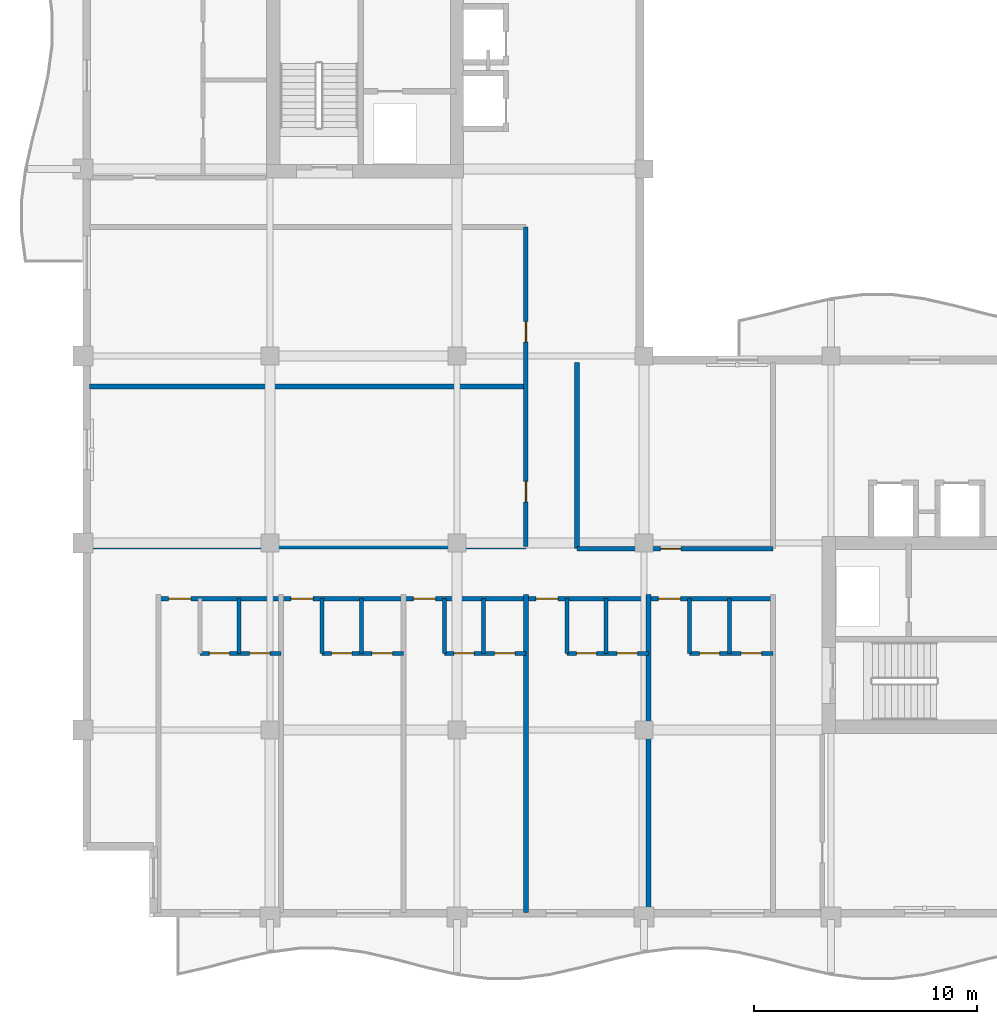
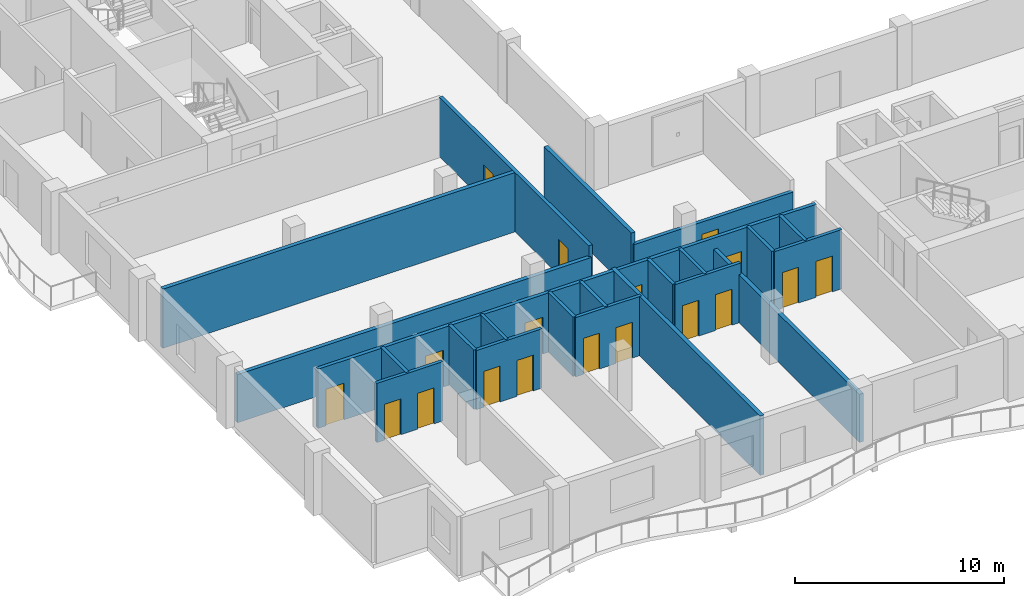
# One storey, part 3 of 12: 22 walls, 18 doors, 18 openings.
"""IFC4 building model written with IfcOpenShell, lengths in metres."""

from ifc_helpers import new_model, si_unit, direction, frame, frame_2d, origin, place, context, subcontext, project, spatial, rectangle, extrude, material, layer, layer_set, type_object, element, fill, save


model = new_model("IFC4")

# Units and contexts
model_context = context("Model", 3, precision=1e-05, world=origin(), true_north=direction((0.0, 1.0)))
body_context = subcontext(model_context, "Body", "Model", "MODEL_VIEW")
ifc_project = project(units=[si_unit("LENGTHUNIT", "METRE"), si_unit("AREAUNIT", "SQUARE_METRE"), si_unit("VOLUMEUNIT", "CUBIC_METRE"), si_unit("PLANEANGLEUNIT", "RADIAN"), si_unit("MASSUNIT", "GRAM", prefix="KILO")], contexts=[model_context])

# Site, building, storey
site_placement = place(None, origin())
site = spatial("IfcSite", under=ifc_project, at=site_placement, CompositionType="ELEMENT")
building_placement = place(site_placement, origin())
building = spatial("IfcBuilding", under=site, at=building_placement, Name="Koriwani Terraces Tower", CompositionType="ELEMENT")
storey_placement = place(building_placement, frame((0.0, 0.0, 278.60009765625)))
storey = spatial("IfcBuildingStorey", under=building, at=storey_placement, Name="L69", CompositionType="ELEMENT", Elevation=278.60009765625)

# Wall, opening, door
ifc_material_1 = material(Name="Autoclaved Cellular Concrete Blockwork", Category="masonry")
ifc_layer_1 = layer(ifc_material_1, 0.199951171875, Name="Autoclaved Cellular Concrete Blockwork")
ifc_layer_set_1 = layer_set([ifc_layer_1], Name="Autoclaved Cellular Concrete Blockwork")
wall_type_1 = type_object("IfcWallType", Name="WALL_CORRIDOR_200", PredefinedType="PARTITIONING", material=ifc_layer_set_1)
wall_1_placement = place(storey_placement, frame((30.60009765625, 24.949951171875, 0.0), z_axis=(0.0, 0.0, 1.0), x_axis=(1.0, 0.0, 0.0)))
wall_1 = element("IfcWall", 1, at=wall_1_placement, inside=storey, type_object=wall_type_1, Name="L69 Interior Wall WIC4S-L69", PredefinedType="PARTITIONING", context=body_context, shape_type="SweptSolid", body=[
    extrude(rectangle(XDim=8.7998046875, YDim=0.199951171875, at=frame_2d((4.39990234375, 0.0))), origin(), (0.0, 0.0, 1.0), 2.81982421875),
])
opening_1_placement = place(wall_1_placement, frame((3.75, 0.0, 0.0)))
opening_1 = element("IfcOpeningElement", 2, at=opening_1_placement, cuts=wall_1, Name="Opening D-06", PredefinedType="OPENING", context=body_context, shape_type="SweptSolid", body=[
    extrude(rectangle(XDim=0.919921875, YDim=2.10009765625, at=frame_2d((0.4599609375, 1.050048828125))), frame((0.0, 0.10986328125, 0.0), z_axis=(0.0, -1.0, 0.0), x_axis=(1.0, 0.0, 0.0)), (0.0, 0.0, 1.0), 0.219970703125),
])
ifc_material_2 = material(Name="Architectural Oak Fire Door", Category="wood")
door_type_1 = type_object("IfcDoorType", Name="DOOR_ROOM_INT_920X2100", OperationType="NOTDEFINED", PredefinedType="DOOR", material=ifc_material_2)
door_1_placement = place(opening_1_placement, origin())
door_1 = element("IfcDoor", 3, at=door_1_placement, inside=storey, type_object=door_type_1, Name="L69 High-Rise Court Lounge Door", OperationType="SINGLE_SWING_LEFT", OverallHeight=2.10009765625, OverallWidth=0.919921875, PredefinedType="DOOR", context=body_context, shape_type="SweptSolid", body=[
    extrude(rectangle(XDim=0.919921875, YDim=2.10009765625, at=frame_2d((0.4599609375, 1.050048828125))), frame((0.0, 0.02490234375, 0.0), z_axis=(0.0, -1.0, 0.0), x_axis=(1.0, 0.0, 0.0)), (0.0, 0.0, 1.0), 0.050048828125),
])
fill(opening_1, door_1)

# Wall, openings, doors
wall_2_placement = place(storey_placement, frame((11.800048828125, 22.699951171875, 0.0), z_axis=(0.0, 0.0, 1.0), x_axis=(1.0, 0.0, 0.0)))
wall_2 = element("IfcWall", 4, at=wall_2_placement, inside=storey, type_object=wall_type_1, Name="L69 Interior Wall WRCOR-L69-SW-0", PredefinedType="PARTITIONING", context=body_context, shape_type="SweptSolid", body=[
    extrude(rectangle(XDim=27.599853515625, YDim=0.199951171875, at=frame_2d((13.7998046875, 0.0))), origin(), (0.0, 0.0, 1.0), 3.469970703125),
])
opening_2_placement = place(wall_2_placement, frame((0.445068359375, 0.0, 0.0)))
opening_2 = element("IfcOpeningElement", 5, at=opening_2_placement, cuts=wall_2, Name="Opening D-05", PredefinedType="OPENING", context=body_context, shape_type="SweptSolid", body=[
    extrude(rectangle(XDim=1.0, YDim=2.14990234375, at=frame_2d((0.5, 1.074951171875))), frame((0.0, 0.10986328125, 0.0), z_axis=(0.0, -1.0, 0.0), x_axis=(1.0, 0.0, 0.0)), (0.0, 0.0, 1.0), 0.219970703125),
])
opening_3_placement = place(wall_2_placement, frame((5.945068359375, 0.0, 0.0)))
opening_3 = element("IfcOpeningElement", 6, at=opening_3_placement, cuts=wall_2, Name="Opening D-05", PredefinedType="OPENING", context=body_context, shape_type="SweptSolid", body=[
    extrude(rectangle(XDim=1.0, YDim=2.14990234375, at=frame_2d((0.5, 1.074951171875))), frame((0.0, 0.10986328125, 0.0), z_axis=(0.0, -1.0, 0.0), x_axis=(1.0, 0.0, 0.0)), (0.0, 0.0, 1.0), 0.219970703125),
])
opening_4_placement = place(wall_2_placement, frame((11.445068359375, 0.0, 0.0)))
opening_4 = element("IfcOpeningElement", 7, at=opening_4_placement, cuts=wall_2, Name="Opening D-05", PredefinedType="OPENING", context=body_context, shape_type="SweptSolid", body=[
    extrude(rectangle(XDim=1.0, YDim=2.14990234375, at=frame_2d((0.5, 1.074951171875))), frame((0.0, 0.10986328125, 0.0), z_axis=(0.0, -1.0, 0.0), x_axis=(1.0, 0.0, 0.0)), (0.0, 0.0, 1.0), 0.219970703125),
])
opening_5_placement = place(wall_2_placement, frame((16.945068359375, 0.0, 0.0)))
opening_5 = element("IfcOpeningElement", 8, at=opening_5_placement, cuts=wall_2, Name="Opening D-05", PredefinedType="OPENING", context=body_context, shape_type="SweptSolid", body=[
    extrude(rectangle(XDim=1.0, YDim=2.14990234375, at=frame_2d((0.5, 1.074951171875))), frame((0.0, 0.10986328125, 0.0), z_axis=(0.0, -1.0, 0.0), x_axis=(1.0, 0.0, 0.0)), (0.0, 0.0, 1.0), 0.219970703125),
])
opening_6_placement = place(wall_2_placement, frame((22.445068359375, 0.0, 0.0)))
opening_6 = element("IfcOpeningElement", 9, at=opening_6_placement, cuts=wall_2, Name="Opening D-05", PredefinedType="OPENING", context=body_context, shape_type="SweptSolid", body=[
    extrude(rectangle(XDim=1.0, YDim=2.14990234375, at=frame_2d((0.5, 1.074951171875))), frame((0.0, 0.10986328125, 0.0), z_axis=(0.0, -1.0, 0.0), x_axis=(1.0, 0.0, 0.0)), (0.0, 0.0, 1.0), 0.219970703125),
])
door_type_2 = type_object("IfcDoorType", Name="DOOR_SUITE_ENTRY_1000X2150", OperationType="NOTDEFINED", PredefinedType="DOOR", material=ifc_material_2)
door_2_placement = place(opening_2_placement, origin())
door_2 = element("IfcDoor", 10, at=door_2_placement, inside=storey, type_object=door_type_2, Name="Apartment 69SW1 Entrance Door", OperationType="SINGLE_SWING_RIGHT", OverallHeight=2.14990234375, OverallWidth=1.0, PredefinedType="DOOR", context=body_context, shape_type="SweptSolid", body=[
    extrude(rectangle(XDim=1.0, YDim=2.14990234375, at=frame_2d((0.5, 1.074951171875))), frame((0.0, 0.02490234375, 0.0), z_axis=(0.0, -1.0, 0.0), x_axis=(1.0, 0.0, 0.0)), (0.0, 0.0, 1.0), 0.050048828125),
])
fill(opening_2, door_2)
door_3_placement = place(opening_3_placement, origin())
door_3 = element("IfcDoor", 11, at=door_3_placement, inside=storey, type_object=door_type_2, Name="Apartment 69SW2 Entrance Door", OperationType="SINGLE_SWING_LEFT", OverallHeight=2.14990234375, OverallWidth=1.0, PredefinedType="DOOR", context=body_context, shape_type="SweptSolid", body=[
    extrude(rectangle(XDim=1.0, YDim=2.14990234375, at=frame_2d((0.5, 1.074951171875))), frame((0.0, 0.02490234375, 0.0), z_axis=(0.0, -1.0, 0.0), x_axis=(1.0, 0.0, 0.0)), (0.0, 0.0, 1.0), 0.050048828125),
])
fill(opening_3, door_3)
door_4_placement = place(opening_4_placement, origin())
door_4 = element("IfcDoor", 12, at=door_4_placement, inside=storey, type_object=door_type_2, Name="Apartment 69SW3 Entrance Door", OperationType="SINGLE_SWING_RIGHT", OverallHeight=2.14990234375, OverallWidth=1.0, PredefinedType="DOOR", context=body_context, shape_type="SweptSolid", body=[
    extrude(rectangle(XDim=1.0, YDim=2.14990234375, at=frame_2d((0.5, 1.074951171875))), frame((0.0, 0.02490234375, 0.0), z_axis=(0.0, -1.0, 0.0), x_axis=(1.0, 0.0, 0.0)), (0.0, 0.0, 1.0), 0.050048828125),
])
fill(opening_4, door_4)
door_5_placement = place(opening_5_placement, origin())
door_5 = element("IfcDoor", 13, at=door_5_placement, inside=storey, type_object=door_type_2, Name="Apartment 69SW4 Entrance Door", OperationType="SINGLE_SWING_LEFT", OverallHeight=2.14990234375, OverallWidth=1.0, PredefinedType="DOOR", context=body_context, shape_type="SweptSolid", body=[
    extrude(rectangle(XDim=1.0, YDim=2.14990234375, at=frame_2d((0.5, 1.074951171875))), frame((0.0, 0.02490234375, 0.0), z_axis=(0.0, -1.0, 0.0), x_axis=(1.0, 0.0, 0.0)), (0.0, 0.0, 1.0), 0.050048828125),
])
fill(opening_5, door_5)
door_6_placement = place(opening_6_placement, origin())
door_6 = element("IfcDoor", 14, at=door_6_placement, inside=storey, type_object=door_type_2, Name="Apartment 69SW5 Entrance Door", OperationType="SINGLE_SWING_RIGHT", OverallHeight=2.14990234375, OverallWidth=1.0, PredefinedType="DOOR", context=body_context, shape_type="SweptSolid", body=[
    extrude(rectangle(XDim=1.0, YDim=2.14990234375, at=frame_2d((0.5, 1.074951171875))), frame((0.0, 0.02490234375, 0.0), z_axis=(0.0, -1.0, 0.0), x_axis=(1.0, 0.0, 0.0)), (0.0, 0.0, 1.0), 0.050048828125),
])
fill(opening_6, door_6)

wall_3_placement = place(storey_placement, frame((28.300048828125, 25.050048828125, 0.0), z_axis=(0.0, 0.0, 1.0), x_axis=(0.0, 1.0, 0.0)))
wall_3 = element("IfcWall", 15, at=wall_3_placement, inside=storey, type_object=wall_type_1, Name="L69 Interior Wall WZ4NECL-L69", PredefinedType="PARTITIONING", context=body_context, shape_type="SweptSolid", body=[
    extrude(rectangle(XDim=14.349853515625, YDim=0.199951171875, at=frame_2d((7.1748046875, 0.0))), origin(), (0.0, 0.0, 1.0), 3.469970703125),
])
opening_7_placement = place(wall_3_placement, frame((2.0, 0.0, 0.0)))
opening_7 = element("IfcOpeningElement", 16, at=opening_7_placement, cuts=wall_3, Name="Opening D-06", PredefinedType="OPENING", context=body_context, shape_type="SweptSolid", body=[
    extrude(rectangle(XDim=0.919921875, YDim=2.10009765625, at=frame_2d((0.4599609375, 1.050048828125))), frame((0.0, 0.10986328125, 0.0), z_axis=(0.0, -1.0, 0.0), x_axis=(1.0, 0.0, 0.0)), (0.0, 0.0, 1.0), 0.219970703125),
])
opening_8_placement = place(wall_3_placement, frame((9.175048828125, 0.0, 0.0)))
opening_8 = element("IfcOpeningElement", 17, at=opening_8_placement, cuts=wall_3, Name="Opening D-06", PredefinedType="OPENING", context=body_context, shape_type="SweptSolid", body=[
    extrude(rectangle(XDim=0.919921875, YDim=2.10009765625, at=frame_2d((0.4599609375, 1.050048828125))), frame((0.0, 0.10986328125, 0.0), z_axis=(0.0, -1.0, 0.0), x_axis=(1.0, 0.0, 0.0)), (0.0, 0.0, 1.0), 0.219970703125),
])
door_7_placement = place(opening_7_placement, origin())
door_7 = element("IfcDoor", 18, at=door_7_placement, inside=storey, type_object=door_type_1, Name="L69 Observatory Library Door", OperationType="SINGLE_SWING_LEFT", OverallHeight=2.10009765625, OverallWidth=0.919921875, PredefinedType="DOOR", context=body_context, shape_type="SweptSolid", body=[
    extrude(rectangle(XDim=0.919921875, YDim=2.10009765625, at=frame_2d((0.4599609375, 1.050048828125))), frame((0.0, 0.02490234375, 0.0), z_axis=(0.0, -1.0, 0.0), x_axis=(1.0, 0.0, 0.0)), (0.0, 0.0, 1.0), 0.050048828125),
])
fill(opening_7, door_7)
door_8_placement = place(opening_8_placement, origin())
door_8 = element("IfcDoor", 19, at=door_8_placement, inside=storey, type_object=door_type_1, Name="L69 Altitude Tea Salon Door", OperationType="SINGLE_SWING_RIGHT", OverallHeight=2.10009765625, OverallWidth=0.919921875, PredefinedType="DOOR", context=body_context, shape_type="SweptSolid", body=[
    extrude(rectangle(XDim=0.919921875, YDim=2.10009765625, at=frame_2d((0.4599609375, 1.050048828125))), frame((0.0, 0.02490234375, 0.0), z_axis=(0.0, -1.0, 0.0), x_axis=(1.0, 0.0, 0.0)), (0.0, 0.0, 1.0), 0.050048828125),
])
fill(opening_8, door_8)

# Walls
ifc_layer_2 = layer(ifc_material_1, 0.219970703125, Name="Autoclaved Cellular Concrete Blockwork")
ifc_layer_set_2 = layer_set([ifc_layer_2], Name="Autoclaved Cellular Concrete Blockwork")
wall_type_2 = type_object("IfcWallType", Name="WALL_DEMISING_220", PredefinedType="PARTITIONING", material=ifc_layer_set_2)
wall_4_placement = place(storey_placement, frame((30.60009765625, 24.949951171875, 0.0), z_axis=(0.0, 0.0, 1.0), x_axis=(0.0, 1.0, 0.0)))
element("IfcWall", 20, at=wall_4_placement, inside=storey, type_object=wall_type_2, Name="L69 Interior Wall WIC4SW-L69", PredefinedType="PARTITIONING", context=body_context, shape_type="SweptSolid", body=[
    extrude(rectangle(XDim=8.35009765625, YDim=0.219970703125, at=frame_2d((4.175048828125, 0.0))), origin(), (0.0, 0.0, 1.0), 3.469970703125),
])
wall_5_placement = place(storey_placement, frame((28.300048828125, 8.60009765625, 0.0), z_axis=(0.0, 0.0, 1.0), x_axis=(0.0, 1.0, 0.0)))
element("IfcWall", 21, at=wall_5_placement, inside=storey, type_object=wall_type_2, Name="L69 Interior Wall WRDEM-L69-SW-3", PredefinedType="PARTITIONING", context=body_context, shape_type="SweptSolid", body=[
    extrude(rectangle(XDim=14.27978515625, YDim=0.219970703125, at=frame_2d((7.139892578125, 0.0))), origin(), (0.0, 0.0, 1.0), 3.469970703125),
])
wall_6_placement = place(storey_placement, frame((33.800048828125, 8.60009765625, 0.0), z_axis=(0.0, 0.0, 1.0), x_axis=(0.0, 1.0, 0.0)))
element("IfcWall", 22, at=wall_6_placement, inside=storey, type_object=wall_type_2, Name="L69 Interior Wall WRDEM-L69-SW-4", PredefinedType="PARTITIONING", context=body_context, shape_type="SweptSolid", body=[
    extrude(rectangle(XDim=14.27978515625, YDim=0.219970703125, at=frame_2d((7.139892578125, 0.0))), origin(), (0.0, 0.0, 1.0), 2.81982421875),
])
wall_7_placement = place(storey_placement, frame((8.699951171875, 25.050048828125, 0.0), z_axis=(0.0, 0.0, 1.0), x_axis=(1.0, 0.0, 0.0)))
element("IfcWall", 23, at=wall_7_placement, inside=storey, type_object=wall_type_2, Name="L69 Interior Wall WZ4NES-L69", PredefinedType="PARTITIONING", context=body_context, shape_type="SweptSolid", body=[
    extrude(rectangle(XDim=19.60009765625, YDim=0.219970703125, at=frame_2d((9.800048828125, 0.0))), origin(), (0.0, 0.0, 1.0), 2.81982421875),
])
wall_8_placement = place(storey_placement, frame((8.699951171875, 32.22509765625, 0.0), z_axis=(0.0, 0.0, 1.0), x_axis=(1.0, 0.0, 0.0)))
element("IfcWall", 24, at=wall_8_placement, inside=storey, type_object=wall_type_2, Name="L69 Interior Wall WZ4NEM-L69", PredefinedType="PARTITIONING", context=body_context, shape_type="SweptSolid", body=[
    extrude(rectangle(XDim=19.60009765625, YDim=0.219970703125, at=frame_2d((9.800048828125, 0.0))), origin(), (0.0, 0.0, 1.0), 3.469970703125),
])

# Wall, openings, doors
ifc_material_3 = material(Name="Fire-Rated Acoustic Gypsum Partition", Category="masonry")
ifc_layer_3 = layer(ifc_material_3, 0.179931640625, Name="Fire-Rated Acoustic Gypsum Partition")
ifc_layer_set_3 = layer_set([ifc_layer_3], Name="Fire-Rated Acoustic Gypsum Partition")
wall_type_3 = type_object("IfcWallType", Name="WALL_PLUMBING_180", PredefinedType="PLUMBINGWALL", material=ifc_layer_set_3)
wall_9_placement = place(storey_placement, frame((13.64990234375, 20.25, 0.0), z_axis=(0.0, 0.0, 1.0), x_axis=(1.0, 0.0, 0.0)))
wall_9 = element("IfcWall", 25, at=wall_9_placement, inside=storey, type_object=wall_type_3, Name="L69 Interior Wall WRSVC-L69-SW-0", PredefinedType="PLUMBINGWALL", context=body_context, shape_type="SweptSolid", body=[
    extrude(rectangle(XDim=3.650146484375, YDim=0.179931640625, at=frame_2d((1.8251953125, 0.0))), origin(), (0.0, 0.0, 1.0), 3.469970703125),
])
opening_9_placement = place(wall_9_placement, frame((0.426025390625, 0.0, 0.0)))
opening_9 = element("IfcOpeningElement", 26, at=opening_9_placement, cuts=wall_9, Name="Opening D-07", PredefinedType="OPENING", context=body_context, shape_type="SweptSolid", body=[
    extrude(rectangle(XDim=0.89990234375, YDim=2.10009765625, at=frame_2d((0.449951171875, 1.050048828125))), frame((0.0, 0.10009765625, 0.0), z_axis=(0.0, -1.0, 0.0), x_axis=(1.0, 0.0, 0.0)), (0.0, 0.0, 1.0), 0.199951171875),
])
opening_10_placement = place(wall_9_placement, frame((2.240966796875, 0.0, 0.0)))
opening_10 = element("IfcOpeningElement", 27, at=opening_10_placement, cuts=wall_9, Name="Opening D-06", PredefinedType="OPENING", context=body_context, shape_type="SweptSolid", body=[
    extrude(rectangle(XDim=0.919921875, YDim=2.10009765625, at=frame_2d((0.4599609375, 1.050048828125))), frame((0.0, 0.10009765625, 0.0), z_axis=(0.0, -1.0, 0.0), x_axis=(1.0, 0.0, 0.0)), (0.0, 0.0, 1.0), 0.199951171875),
])
door_type_3 = type_object("IfcDoorType", Name="DOOR_BATH_INT_900X2100", OperationType="NOTDEFINED", PredefinedType="DOOR", material=ifc_material_2)
door_9_placement = place(opening_9_placement, origin())
door_9 = element("IfcDoor", 28, at=door_9_placement, inside=storey, type_object=door_type_3, Name="Apartment 69SW1 Bathroom Door", OperationType="SINGLE_SWING_LEFT", OverallHeight=2.10009765625, OverallWidth=0.89990234375, PredefinedType="DOOR", context=body_context, shape_type="SweptSolid", body=[
    extrude(rectangle(XDim=0.89990234375, YDim=2.10009765625, at=frame_2d((0.449951171875, 1.050048828125))), frame((0.0, 0.02490234375, 0.0), z_axis=(0.0, -1.0, 0.0), x_axis=(1.0, 0.0, 0.0)), (0.0, 0.0, 1.0), 0.050048828125),
])
fill(opening_9, door_9)
door_10_placement = place(opening_10_placement, origin())
door_10 = element("IfcDoor", 29, at=door_10_placement, inside=storey, type_object=door_type_1, Name="Apartment 69SW1 Kitchen Door", OperationType="SINGLE_SWING_RIGHT", OverallHeight=2.10009765625, OverallWidth=0.919921875, PredefinedType="DOOR", context=body_context, shape_type="SweptSolid", body=[
    extrude(rectangle(XDim=0.919921875, YDim=2.10009765625, at=frame_2d((0.4599609375, 1.050048828125))), frame((0.0, 0.02490234375, 0.0), z_axis=(0.0, -1.0, 0.0), x_axis=(1.0, 0.0, 0.0)), (0.0, 0.0, 1.0), 0.050048828125),
])
fill(opening_10, door_10)

# Wall
wall_10_placement = place(storey_placement, frame((15.402099609375, 20.25, 0.0), z_axis=(0.0, 0.0, 1.0), x_axis=(0.0, 1.0, 0.0)))
element("IfcWall", 30, at=wall_10_placement, inside=storey, type_object=wall_type_3, Name="L69 Interior Wall WRSVCM-L69-SW-0", PredefinedType="PLUMBINGWALL", context=body_context, shape_type="SweptSolid", body=[
    extrude(rectangle(XDim=2.449951171875, YDim=0.179931640625, at=frame_2d((1.22509765625, 0.0))), origin(), (0.0, 0.0, 1.0), 3.469970703125),
])

# Wall, openings, doors
wall_11_placement = place(storey_placement, frame((19.14990234375, 20.25, 0.0), z_axis=(0.0, 0.0, 1.0), x_axis=(1.0, 0.0, 0.0)))
wall_11 = element("IfcWall", 31, at=wall_11_placement, inside=storey, type_object=wall_type_3, Name="L69 Interior Wall WRSVC-L69-SW-1", PredefinedType="PLUMBINGWALL", context=body_context, shape_type="SweptSolid", body=[
    extrude(rectangle(XDim=3.650146484375, YDim=0.179931640625, at=frame_2d((1.8251953125, 0.0))), origin(), (0.0, 0.0, 1.0), 3.469970703125),
])
opening_11_placement = place(wall_11_placement, frame((0.426025390625, 0.0, 0.0)))
opening_11 = element("IfcOpeningElement", 32, at=opening_11_placement, cuts=wall_11, Name="Opening D-07", PredefinedType="OPENING", context=body_context, shape_type="SweptSolid", body=[
    extrude(rectangle(XDim=0.89990234375, YDim=2.10009765625, at=frame_2d((0.449951171875, 1.050048828125))), frame((0.0, 0.10009765625, 0.0), z_axis=(0.0, -1.0, 0.0), x_axis=(1.0, 0.0, 0.0)), (0.0, 0.0, 1.0), 0.199951171875),
])
opening_12_placement = place(wall_11_placement, frame((2.240966796875, 0.0, 0.0)))
opening_12 = element("IfcOpeningElement", 33, at=opening_12_placement, cuts=wall_11, Name="Opening D-06", PredefinedType="OPENING", context=body_context, shape_type="SweptSolid", body=[
    extrude(rectangle(XDim=0.919921875, YDim=2.10009765625, at=frame_2d((0.4599609375, 1.050048828125))), frame((0.0, 0.10009765625, 0.0), z_axis=(0.0, -1.0, 0.0), x_axis=(1.0, 0.0, 0.0)), (0.0, 0.0, 1.0), 0.199951171875),
])
door_11_placement = place(opening_11_placement, origin())
door_11 = element("IfcDoor", 34, at=door_11_placement, inside=storey, type_object=door_type_3, Name="Apartment 69SW2 Bathroom Door", OperationType="SINGLE_SWING_RIGHT", OverallHeight=2.10009765625, OverallWidth=0.89990234375, PredefinedType="DOOR", context=body_context, shape_type="SweptSolid", body=[
    extrude(rectangle(XDim=0.89990234375, YDim=2.10009765625, at=frame_2d((0.449951171875, 1.050048828125))), frame((0.0, 0.02490234375, 0.0), z_axis=(0.0, -1.0, 0.0), x_axis=(1.0, 0.0, 0.0)), (0.0, 0.0, 1.0), 0.050048828125),
])
fill(opening_11, door_11)
door_12_placement = place(opening_12_placement, origin())
door_12 = element("IfcDoor", 35, at=door_12_placement, inside=storey, type_object=door_type_1, Name="Apartment 69SW2 Kitchen Door", OperationType="SINGLE_SWING_LEFT", OverallHeight=2.10009765625, OverallWidth=0.919921875, PredefinedType="DOOR", context=body_context, shape_type="SweptSolid", body=[
    extrude(rectangle(XDim=0.919921875, YDim=2.10009765625, at=frame_2d((0.4599609375, 1.050048828125))), frame((0.0, 0.02490234375, 0.0), z_axis=(0.0, -1.0, 0.0), x_axis=(1.0, 0.0, 0.0)), (0.0, 0.0, 1.0), 0.050048828125),
])
fill(opening_12, door_12)

# Walls
for number, where, z_axis, x_axis, name in (
    (36, (19.14990234375, 20.25, 0.0), (0.0, 0.0, 1.0), (0.0, 1.0, 0.0), "L69 Interior Wall WRSVCS-L69-SW-1"),
    (37, (20.902099609375, 20.25, 0.0), (0.0, 0.0, 1.0), (0.0, 1.0, 0.0), "L69 Interior Wall WRSVCM-L69-SW-1"),
):
    element("IfcWall", number, at=place(storey_placement, frame(where, z_axis=z_axis, x_axis=x_axis)), inside=storey, type_object=wall_type_3, Name=name, PredefinedType="PLUMBINGWALL", context=body_context, shape_type="SweptSolid", body=[
        extrude(rectangle(XDim=2.449951171875, YDim=0.179931640625, at=frame_2d((1.22509765625, 0.0))), origin(), (0.0, 0.0, 1.0), 3.469970703125),
    ])

# Wall, openings, doors
wall_12_placement = place(storey_placement, frame((24.64990234375, 20.25, 0.0), z_axis=(0.0, 0.0, 1.0), x_axis=(1.0, 0.0, 0.0)))
wall_12 = element("IfcWall", 38, at=wall_12_placement, inside=storey, type_object=wall_type_3, Name="L69 Interior Wall WRSVC-L69-SW-2", PredefinedType="PLUMBINGWALL", context=body_context, shape_type="SweptSolid", body=[
    extrude(rectangle(XDim=3.650146484375, YDim=0.179931640625, at=frame_2d((1.8251953125, 0.0))), origin(), (0.0, 0.0, 1.0), 3.469970703125),
])
opening_13_placement = place(wall_12_placement, frame((0.426025390625, 0.0, 0.0)))
opening_13 = element("IfcOpeningElement", 39, at=opening_13_placement, cuts=wall_12, Name="Opening D-07", PredefinedType="OPENING", context=body_context, shape_type="SweptSolid", body=[
    extrude(rectangle(XDim=0.89990234375, YDim=2.10009765625, at=frame_2d((0.449951171875, 1.050048828125))), frame((0.0, 0.10009765625, 0.0), z_axis=(0.0, -1.0, 0.0), x_axis=(1.0, 0.0, 0.0)), (0.0, 0.0, 1.0), 0.199951171875),
])
opening_14_placement = place(wall_12_placement, frame((2.240966796875, 0.0, 0.0)))
opening_14 = element("IfcOpeningElement", 40, at=opening_14_placement, cuts=wall_12, Name="Opening D-06", PredefinedType="OPENING", context=body_context, shape_type="SweptSolid", body=[
    extrude(rectangle(XDim=0.919921875, YDim=2.10009765625, at=frame_2d((0.4599609375, 1.050048828125))), frame((0.0, 0.10009765625, 0.0), z_axis=(0.0, -1.0, 0.0), x_axis=(1.0, 0.0, 0.0)), (0.0, 0.0, 1.0), 0.199951171875),
])
door_13_placement = place(opening_13_placement, origin())
door_13 = element("IfcDoor", 41, at=door_13_placement, inside=storey, type_object=door_type_3, Name="Apartment 69SW3 Bathroom Door", OperationType="SINGLE_SWING_LEFT", OverallHeight=2.10009765625, OverallWidth=0.89990234375, PredefinedType="DOOR", context=body_context, shape_type="SweptSolid", body=[
    extrude(rectangle(XDim=0.89990234375, YDim=2.10009765625, at=frame_2d((0.449951171875, 1.050048828125))), frame((0.0, 0.02490234375, 0.0), z_axis=(0.0, -1.0, 0.0), x_axis=(1.0, 0.0, 0.0)), (0.0, 0.0, 1.0), 0.050048828125),
])
fill(opening_13, door_13)
door_14_placement = place(opening_14_placement, origin())
door_14 = element("IfcDoor", 42, at=door_14_placement, inside=storey, type_object=door_type_1, Name="Apartment 69SW3 Kitchen Door", OperationType="SINGLE_SWING_RIGHT", OverallHeight=2.10009765625, OverallWidth=0.919921875, PredefinedType="DOOR", context=body_context, shape_type="SweptSolid", body=[
    extrude(rectangle(XDim=0.919921875, YDim=2.10009765625, at=frame_2d((0.4599609375, 1.050048828125))), frame((0.0, 0.02490234375, 0.0), z_axis=(0.0, -1.0, 0.0), x_axis=(1.0, 0.0, 0.0)), (0.0, 0.0, 1.0), 0.050048828125),
])
fill(opening_14, door_14)

# Walls
for number, where, z_axis, x_axis, name in (
    (43, (24.64990234375, 20.25, 0.0), (0.0, 0.0, 1.0), (0.0, 1.0, 0.0), "L69 Interior Wall WRSVCS-L69-SW-2"),
    (44, (26.402099609375, 20.25, 0.0), (0.0, 0.0, 1.0), (0.0, 1.0, 0.0), "L69 Interior Wall WRSVCM-L69-SW-2"),
):
    element("IfcWall", number, at=place(storey_placement, frame(where, z_axis=z_axis, x_axis=x_axis)), inside=storey, type_object=wall_type_3, Name=name, PredefinedType="PLUMBINGWALL", context=body_context, shape_type="SweptSolid", body=[
        extrude(rectangle(XDim=2.449951171875, YDim=0.179931640625, at=frame_2d((1.22509765625, 0.0))), origin(), (0.0, 0.0, 1.0), 3.469970703125),
    ])

# Wall, openings, doors
wall_13_placement = place(storey_placement, frame((30.14990234375, 20.25, 0.0), z_axis=(0.0, 0.0, 1.0), x_axis=(1.0, 0.0, 0.0)))
wall_13 = element("IfcWall", 45, at=wall_13_placement, inside=storey, type_object=wall_type_3, Name="L69 Interior Wall WRSVC-L69-SW-3", PredefinedType="PLUMBINGWALL", context=body_context, shape_type="SweptSolid", body=[
    extrude(rectangle(XDim=3.650146484375, YDim=0.179931640625, at=frame_2d((1.8251953125, 0.0))), origin(), (0.0, 0.0, 1.0), 3.469970703125),
])
opening_15_placement = place(wall_13_placement, frame((0.426025390625, 0.0, 0.0)))
opening_15 = element("IfcOpeningElement", 46, at=opening_15_placement, cuts=wall_13, Name="Opening D-07", PredefinedType="OPENING", context=body_context, shape_type="SweptSolid", body=[
    extrude(rectangle(XDim=0.89990234375, YDim=2.10009765625, at=frame_2d((0.449951171875, 1.050048828125))), frame((0.0, 0.10009765625, 0.0), z_axis=(0.0, -1.0, 0.0), x_axis=(1.0, 0.0, 0.0)), (0.0, 0.0, 1.0), 0.199951171875),
])
opening_16_placement = place(wall_13_placement, frame((2.240966796875, 0.0, 0.0)))
opening_16 = element("IfcOpeningElement", 47, at=opening_16_placement, cuts=wall_13, Name="Opening D-06", PredefinedType="OPENING", context=body_context, shape_type="SweptSolid", body=[
    extrude(rectangle(XDim=0.919921875, YDim=2.10009765625, at=frame_2d((0.4599609375, 1.050048828125))), frame((0.0, 0.10009765625, 0.0), z_axis=(0.0, -1.0, 0.0), x_axis=(1.0, 0.0, 0.0)), (0.0, 0.0, 1.0), 0.199951171875),
])
door_15_placement = place(opening_15_placement, origin())
door_15 = element("IfcDoor", 48, at=door_15_placement, inside=storey, type_object=door_type_3, Name="Apartment 69SW4 Bathroom Door", OperationType="SINGLE_SWING_RIGHT", OverallHeight=2.10009765625, OverallWidth=0.89990234375, PredefinedType="DOOR", context=body_context, shape_type="SweptSolid", body=[
    extrude(rectangle(XDim=0.89990234375, YDim=2.10009765625, at=frame_2d((0.449951171875, 1.050048828125))), frame((0.0, 0.02490234375, 0.0), z_axis=(0.0, -1.0, 0.0), x_axis=(1.0, 0.0, 0.0)), (0.0, 0.0, 1.0), 0.050048828125),
])
fill(opening_15, door_15)
door_16_placement = place(opening_16_placement, origin())
door_16 = element("IfcDoor", 49, at=door_16_placement, inside=storey, type_object=door_type_1, Name="Apartment 69SW4 Kitchen Door", OperationType="SINGLE_SWING_LEFT", OverallHeight=2.10009765625, OverallWidth=0.919921875, PredefinedType="DOOR", context=body_context, shape_type="SweptSolid", body=[
    extrude(rectangle(XDim=0.919921875, YDim=2.10009765625, at=frame_2d((0.4599609375, 1.050048828125))), frame((0.0, 0.02490234375, 0.0), z_axis=(0.0, -1.0, 0.0), x_axis=(1.0, 0.0, 0.0)), (0.0, 0.0, 1.0), 0.050048828125),
])
fill(opening_16, door_16)

# Walls
for number, where, z_axis, x_axis, name in (
    (50, (30.14990234375, 20.25, 0.0), (0.0, 0.0, 1.0), (0.0, 1.0, 0.0), "L69 Interior Wall WRSVCS-L69-SW-3"),
    (51, (31.902099609375, 20.25, 0.0), (0.0, 0.0, 1.0), (0.0, 1.0, 0.0), "L69 Interior Wall WRSVCM-L69-SW-3"),
):
    element("IfcWall", number, at=place(storey_placement, frame(where, z_axis=z_axis, x_axis=x_axis)), inside=storey, type_object=wall_type_3, Name=name, PredefinedType="PLUMBINGWALL", context=body_context, shape_type="SweptSolid", body=[
        extrude(rectangle(XDim=2.449951171875, YDim=0.179931640625, at=frame_2d((1.22509765625, 0.0))), origin(), (0.0, 0.0, 1.0), 3.469970703125),
    ])

# Wall, openings, doors
wall_14_placement = place(storey_placement, frame((35.64990234375, 20.25, 0.0), z_axis=(0.0, 0.0, 1.0), x_axis=(1.0, 0.0, 0.0)))
wall_14 = element("IfcWall", 52, at=wall_14_placement, inside=storey, type_object=wall_type_3, Name="L69 Interior Wall WRSVC-L69-SW-4", PredefinedType="PLUMBINGWALL", context=body_context, shape_type="SweptSolid", body=[
    extrude(rectangle(XDim=3.75, YDim=0.179931640625, at=frame_2d((1.875, 0.0))), origin(), (0.0, 0.0, 1.0), 3.469970703125),
])
opening_17_placement = place(wall_14_placement, frame((0.449951171875, 0.0, 0.0)))
opening_17 = element("IfcOpeningElement", 53, at=opening_17_placement, cuts=wall_14, Name="Opening D-07", PredefinedType="OPENING", context=body_context, shape_type="SweptSolid", body=[
    extrude(rectangle(XDim=0.89990234375, YDim=2.10009765625, at=frame_2d((0.449951171875, 1.050048828125))), frame((0.0, 0.10009765625, 0.0), z_axis=(0.0, -1.0, 0.0), x_axis=(1.0, 0.0, 0.0)), (0.0, 0.0, 1.0), 0.199951171875),
])
opening_18_placement = place(wall_14_placement, frame((2.31494140625, 0.0, 0.0)))
opening_18 = element("IfcOpeningElement", 54, at=opening_18_placement, cuts=wall_14, Name="Opening D-06", PredefinedType="OPENING", context=body_context, shape_type="SweptSolid", body=[
    extrude(rectangle(XDim=0.919921875, YDim=2.10009765625, at=frame_2d((0.4599609375, 1.050048828125))), frame((0.0, 0.10009765625, 0.0), z_axis=(0.0, -1.0, 0.0), x_axis=(1.0, 0.0, 0.0)), (0.0, 0.0, 1.0), 0.199951171875),
])
door_17_placement = place(opening_17_placement, origin())
door_17 = element("IfcDoor", 55, at=door_17_placement, inside=storey, type_object=door_type_3, Name="Apartment 69SW5 Bathroom Door", OperationType="SINGLE_SWING_LEFT", OverallHeight=2.10009765625, OverallWidth=0.89990234375, PredefinedType="DOOR", context=body_context, shape_type="SweptSolid", body=[
    extrude(rectangle(XDim=0.89990234375, YDim=2.10009765625, at=frame_2d((0.449951171875, 1.050048828125))), frame((0.0, 0.02490234375, 0.0), z_axis=(0.0, -1.0, 0.0), x_axis=(1.0, 0.0, 0.0)), (0.0, 0.0, 1.0), 0.050048828125),
])
fill(opening_17, door_17)
door_18_placement = place(opening_18_placement, origin())
door_18 = element("IfcDoor", 56, at=door_18_placement, inside=storey, type_object=door_type_1, Name="Apartment 69SW5 Kitchen Door", OperationType="SINGLE_SWING_RIGHT", OverallHeight=2.10009765625, OverallWidth=0.919921875, PredefinedType="DOOR", context=body_context, shape_type="SweptSolid", body=[
    extrude(rectangle(XDim=0.919921875, YDim=2.10009765625, at=frame_2d((0.4599609375, 1.050048828125))), frame((0.0, 0.02490234375, 0.0), z_axis=(0.0, -1.0, 0.0), x_axis=(1.0, 0.0, 0.0)), (0.0, 0.0, 1.0), 0.050048828125),
])
fill(opening_18, door_18)

# Walls
for number, where, z_axis, x_axis, name in (
    (57, (35.64990234375, 20.25, 0.0), (0.0, 0.0, 1.0), (0.0, 1.0, 0.0), "L69 Interior Wall WRSVCS-L69-SW-4"),
    (58, (37.449951171875, 20.25, 0.0), (0.0, 0.0, 1.0), (0.0, 1.0, 0.0), "L69 Interior Wall WRSVCM-L69-SW-4"),
):
    element("IfcWall", number, at=place(storey_placement, frame(where, z_axis=z_axis, x_axis=x_axis)), inside=storey, type_object=wall_type_3, Name=name, PredefinedType="PLUMBINGWALL", context=body_context, shape_type="SweptSolid", body=[
        extrude(rectangle(XDim=2.449951171875, YDim=0.179931640625, at=frame_2d((1.22509765625, 0.0))), origin(), (0.0, 0.0, 1.0), 3.469970703125),
    ])

save(model, "model.ifc")
